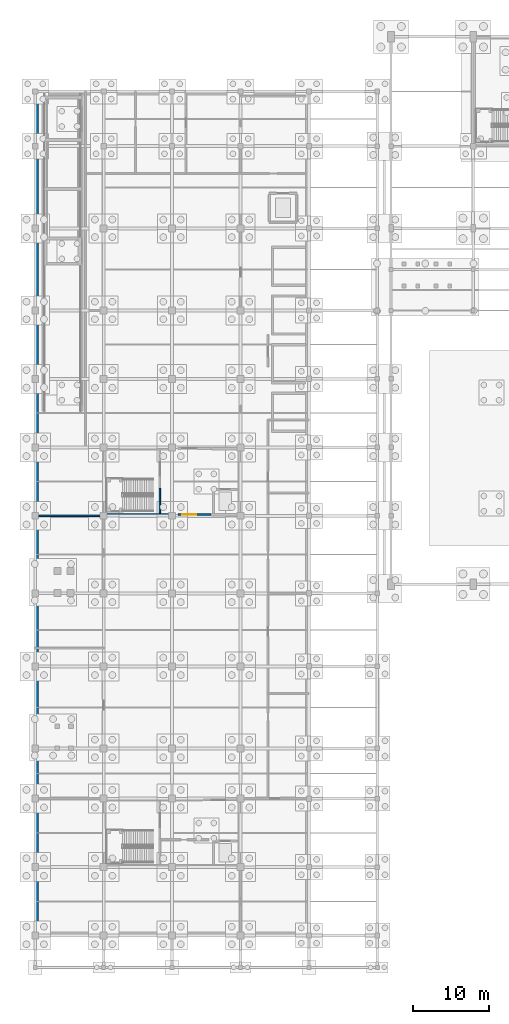
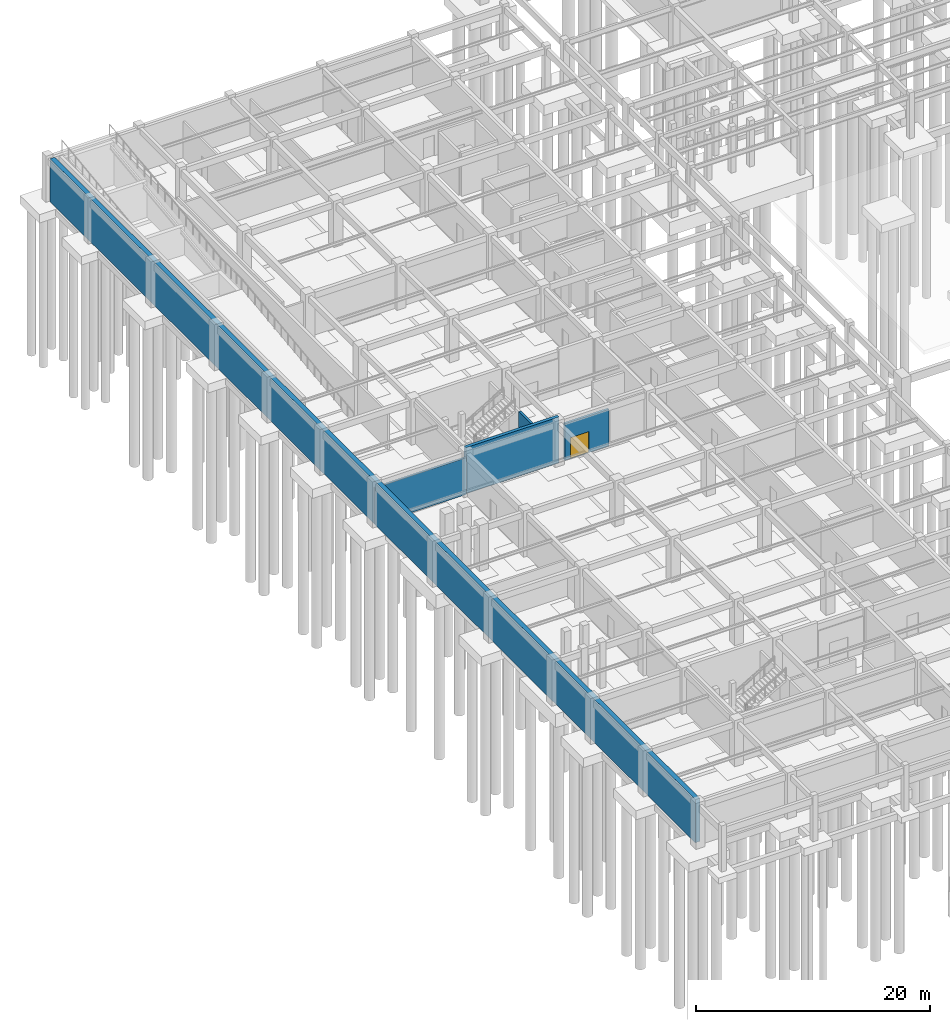
# One storey, part 23 of 33: 5 walls, 1 door, 1 opening.
"""IFC4 building model written with IfcOpenShell, lengths in metres."""

from ifc_helpers import new_model, si_unit, direction, frame, frame_2d, origin, place, context, subcontext, project, spatial, rectangle, extrude, material, layer, layer_set, type_object, element, fill, save


model = new_model("IFC4")

# Units and contexts
model_context = context("Model", 3, precision=1e-05, world=origin(), true_north=direction((0.0, 1.0)))
body_context = subcontext(model_context, "Body", "Model", "MODEL_VIEW")
ifc_project = project(units=[si_unit("LENGTHUNIT", "METRE"), si_unit("AREAUNIT", "SQUARE_METRE"), si_unit("VOLUMEUNIT", "CUBIC_METRE"), si_unit("PLANEANGLEUNIT", "RADIAN"), si_unit("MASSUNIT", "GRAM", prefix="KILO")], contexts=[model_context])

# Site, building, storey
site_placement = place(None, origin())
site = spatial("IfcSite", under=ifc_project, at=site_placement, CompositionType="ELEMENT")
building_placement = place(site_placement, origin())
building = spatial("IfcBuilding", under=site, at=building_placement, Name="Suirenkawa Promenade Aquatics Centre", CompositionType="ELEMENT")
storey_placement = place(building_placement, frame((0.0, 0.0, -4.800048828125)))
storey = spatial("IfcBuildingStorey", under=building, at=storey_placement, Name="B1", CompositionType="ELEMENT", Elevation=-4.800048828125)

# Walls
ifc_material_1 = material(Name="Autoclaved aerated concrete blockwork Grade 1", Category="masonry")
ifc_layer_1 = layer(ifc_material_1, 0.199951171875, Name="Autoclaved aerated concrete blockwork Grade 1", Category="masonry")
ifc_layer_set_1 = layer_set([ifc_layer_1], Name="Autoclaved aerated concrete blockwork Grade 1")
wall_type_1 = type_object("IfcWallType", Name="WT-COMP-200", PredefinedType="PARTITIONING", material=ifc_layer_set_1)
wall_1_placement = place(storey_placement, frame((0.0, 59.39990234375, 0.0), z_axis=(0.0, 0.0, 1.0), x_axis=(1.0, 0.0, 0.0)))
element("IfcWall", 1, at=wall_1_placement, inside=storey, type_object=wall_type_1, Name="Interior wall WL-PRT-01 W-7188", PredefinedType="PARTITIONING", context=body_context, shape_type="SweptSolid", body=[
    extrude(rectangle(XDim=9.0, YDim=0.199951171875, at=frame_2d((4.5, 0.0))), origin(), (0.0, 0.0, 1.0), 3.8349609375),
])
ifc_material_2 = material(Name="Concrete M40", Category="concrete")
ifc_layer_2 = layer(ifc_material_2, 0.320068359375, Name="Concrete M40", Category="concrete")
ifc_layer_set_2 = layer_set([ifc_layer_2], Name="Concrete M40")
wall_type_2 = type_object("IfcWallType", Name="WT-CORE-320", PredefinedType="SHEAR", material=ifc_layer_set_2)
wall_2_placement = place(storey_placement, frame((9.0, 59.56005859375, 0.0), z_axis=(0.0, 0.0, 1.0), x_axis=(1.0, 0.0, 0.0)))
element("IfcWall", 2, at=wall_2_placement, inside=storey, type_object=wall_type_2, Name="C2 south core wall WL-CORE-01 W-0074", PredefinedType="SHEAR", context=body_context, shape_type="SweptSolid", body=[
    extrude(rectangle(XDim=9.199951171875, YDim=0.320068359375, at=frame_2d((4.60009765625, 0.0))), origin(), (0.0, 0.0, 1.0), 4.800048828125),
])
ifc_material_3 = material(Name="Concrete M35", Category="concrete")
ifc_layer_3 = layer(ifc_material_3, 0.219970703125, Name="Concrete M35", Category="concrete")
ifc_layer_set_3 = layer_set([ifc_layer_3], Name="Concrete M35")
wall_type_3 = type_object("IfcWallType", Name="WT-LOBBY-220", PredefinedType="PARTITIONING", material=ifc_layer_set_3)
wall_3_placement = place(storey_placement, frame((16.39990234375, 59.75, 0.0), z_axis=(0.0, 0.0, 1.0), x_axis=(0.0, 1.0, 0.0)))
element("IfcWall", 3, at=wall_3_placement, inside=storey, type_object=wall_type_3, Name="Interior wall WL-LOB-01 W-7037", PredefinedType="PARTITIONING", context=body_context, shape_type="SweptSolid", body=[
    extrude(rectangle(XDim=3.25, YDim=0.219970703125, at=frame_2d((1.625, 0.0))), origin(), (0.0, 0.0, 1.0), 3.8349609375),
])

# Wall, opening, door
wall_4_placement = place(storey_placement, frame((18.800048828125, 59.56005859375, 0.0), z_axis=(0.0, 0.0, 1.0), x_axis=(1.0, 0.0, 0.0)))
wall_4 = element("IfcWall", 4, at=wall_4_placement, inside=storey, type_object=wall_type_3, Name="Interior wall WL-LOB-01 W-7040", PredefinedType="PARTITIONING", context=body_context, shape_type="SweptSolid", body=[
    extrude(rectangle(XDim=4.349853515625, YDim=0.219970703125, at=frame_2d((2.1748046875, 0.0))), origin(), (0.0, 0.0, 1.0), 3.8349609375),
])
opening_placement = place(wall_4_placement, frame((0.550048828125, 0.0, 0.0)))
opening = element("IfcOpeningElement", 5, at=opening_placement, cuts=wall_4, Name="Opening ID-02", PredefinedType="OPENING", context=body_context, shape_type="SweptSolid", body=[
    extrude(rectangle(XDim=1.800048828125, YDim=2.199951171875, at=frame_2d((0.89990234375, 1.10009765625))), frame((0.0, 0.119873046875, 0.0), z_axis=(0.0, -1.0, 0.0), x_axis=(1.0, 0.0, 0.0)), (0.0, 0.0, 1.0), 0.239990234375),
])
ifc_material_4 = material(Name="Steel IS 2062 E350 (Grade 350)", Category="steel")
door_type = type_object("IfcDoorType", Name="DT-FD120-1800x2200", OperationType="DOUBLE_DOOR_SINGLE_SWING", PredefinedType="DOOR", material=ifc_material_4)
door_placement = place(opening_placement, origin())
door = element("IfcDoor", 6, at=door_placement, inside=storey, type_object=door_type, Name="Interior door ID-02 DR-INT-0026", OperationType="DOUBLE_DOOR_SINGLE_SWING", OverallHeight=2.199951171875, OverallWidth=1.800048828125, PredefinedType="DOOR", context=body_context, shape_type="SweptSolid", body=[
    extrude(rectangle(XDim=1.800048828125, YDim=2.199951171875, at=frame_2d((0.89990234375, 1.10009765625))), frame((0.0, 0.02490234375, 0.0), z_axis=(0.0, -1.0, 0.0), x_axis=(1.0, 0.0, 0.0)), (0.0, 0.0, 1.0), 0.050048828125),
])
fill(opening, door)

# Wall
ifc_material_5 = material(Name="Waterproof concrete M40", Category="concrete")
ifc_layer_4 = layer(ifc_material_5, 0.449951171875, Name="Waterproof concrete M40", Category="concrete")
ifc_layer_set_4 = layer_set([ifc_layer_4], Name="Waterproof concrete M40")
wall_type_4 = type_object("IfcWallType", Name="WT-RET-450", PredefinedType="USERDEFINED", material=ifc_layer_set_4)
wall_5_placement = place(storey_placement, frame((0.22509765625, 4.64990234375, 0.0), z_axis=(0.0, 0.0, 1.0), x_axis=(0.0, 1.0, 0.0)))
element("IfcWall", 7, at=wall_5_placement, inside=storey, type_object=wall_type_4, Name="Basement retaining wall WL-RET-01 W-0003", ObjectType="RETAININGWALL", PredefinedType="USERDEFINED", context=body_context, shape_type="SweptSolid", body=[
    extrude(rectangle(XDim=110.10009765625, YDim=0.449951171875, at=frame_2d((55.050048828125, 0.0))), origin(), (0.0, 0.0, 1.0), 4.5),
])

save(model, "model.ifc")
